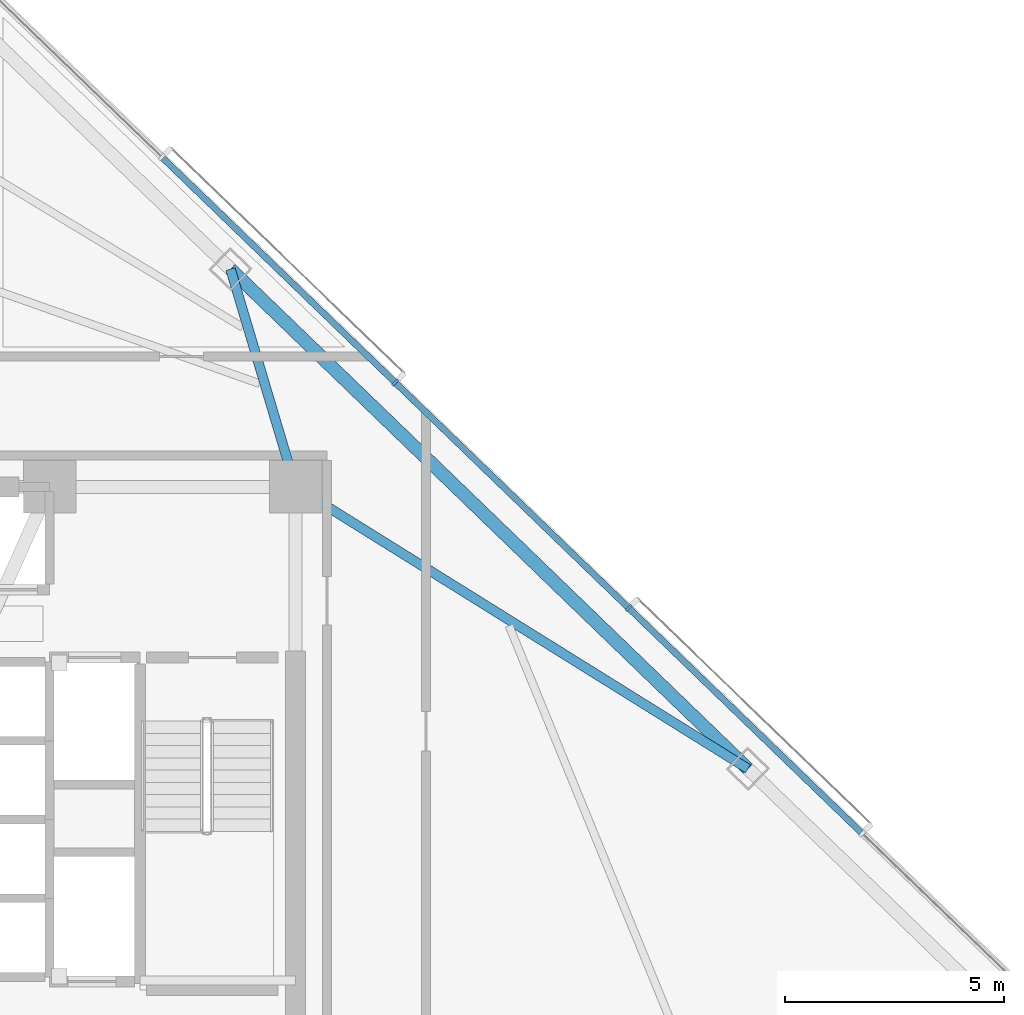
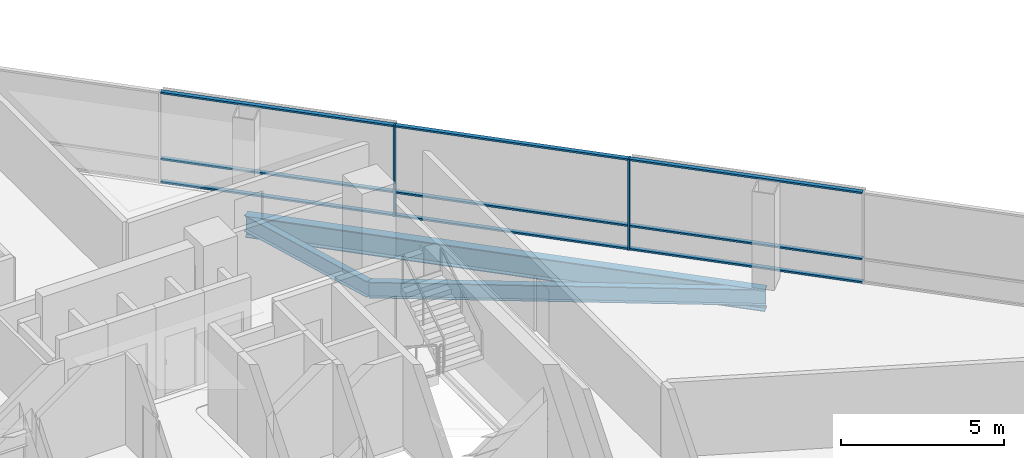
# One storey, part 7 of 17: 11 members, 3 beams, 1 element without a shape of its own.
"""IFC4 building model written with IfcOpenShell, lengths in metres."""

from ifc_helpers import new_model, si_unit, direction, frame, origin, origin_2d, place, context, subcontext, project, spatial, rectangle, i_section, extrude, material, layer, layer_set, material_profile, profile_set, type_object, element, aggregate, save


model = new_model("IFC4")

# Units and contexts
model_context = context("Model", 3, precision=1e-05, world=origin(), true_north=direction((0.0, 1.0)))
body_context = subcontext(model_context, "Body", "Model", "MODEL_VIEW")
ifc_project = project(units=[si_unit("LENGTHUNIT", "METRE"), si_unit("AREAUNIT", "SQUARE_METRE"), si_unit("VOLUMEUNIT", "CUBIC_METRE"), si_unit("PLANEANGLEUNIT", "RADIAN"), si_unit("MASSUNIT", "GRAM", prefix="KILO")], contexts=[model_context])

# Site, building, storey
site_placement = place(None, origin())
site = spatial("IfcSite", under=ifc_project, at=site_placement, CompositionType="ELEMENT")
building_placement = place(site_placement, origin())
building = spatial("IfcBuilding", under=site, at=building_placement, Name="Tharavind Bronze Gate", CompositionType="ELEMENT")
storey_placement = place(building_placement, frame((0.0, 0.0, 96.89990234375)))
storey = spatial("IfcBuildingStorey", under=building, at=storey_placement, Name="L24", CompositionType="ELEMENT", Elevation=96.89990234375)

# Curtain wall, members
ifc_material_1 = material(Name="Anodised Bronze Aluminium", Category="aluminium")
ifc_layer = layer(ifc_material_1, 0.219970703125)
ifc_layer_set = layer_set([ifc_layer], Name="Anodised Bronze Aluminium")
curtain_wall_type = type_object("IfcCurtainWallType", Name="UNITISED CURTAIN WALL LOWER OFFICE", PredefinedType="USERDEFINED", material=ifc_layer_set)
curtain_wall_placement = place(storey_placement, origin())
curtain_wall = element("IfcCurtainWall", 1, at=curtain_wall_placement, inside=storey, type_object=curtain_wall_type, Name="L24 unitised curtain wall lower office CW-L24-S3", ObjectType="UNITISED CURTAIN WALL", PredefinedType="USERDEFINED")
member_type_1 = type_object("IfcMemberType", Name="CURTAIN WALL BRONZE MULLION 65X180", PredefinedType="MULLION", material=ifc_material_1)
member_1_placement = place(storey_placement, frame((16.512939453125, 4.83251953125, 0.0), z_axis=(0.0, 0.0, 1.0), x_axis=(-0.719341012745, 0.694657114973, 0.0)))
member_1 = element("IfcMember", 2, at=member_1_placement, type_object=member_type_1, Name="CW-L24-S3 mullion 4", PredefinedType="MULLION", context=body_context, shape_type="SweptSolid", body=[
    extrude(rectangle(XDim=0.06494140625, YDim=0.179931640625, at=origin_2d()), origin(), (0.0, 0.0, 1.0), 3.409912109375),
])
member_2_placement = place(storey_placement, frame((11.1796875, 9.98291015625, 0.0), z_axis=(0.0, 0.0, 1.0), x_axis=(-0.719341012745, 0.694657114973, 0.0)))
member_2 = element("IfcMember", 3, at=member_2_placement, type_object=member_type_1, Name="CW-L24-S3 mullion 5", PredefinedType="MULLION", context=body_context, shape_type="SweptSolid", body=[
    extrude(rectangle(XDim=0.06494140625, YDim=0.179931640625, at=origin_2d()), origin(), (0.0, 0.0, 1.0), 3.409912109375),
])
member_type_2 = type_object("IfcMemberType", Name="CURTAIN WALL BRONZE TRANSOM 65X140", PredefinedType="USERDEFINED", material=ifc_material_1)
member_3_placement = place(storey_placement, frame((19.1796875, 2.25732421875, 0.000244140625), z_axis=(0.0, 0.0, 1.0), x_axis=(-0.719341012745, 0.694657114973, 0.0)))
member_3 = element("IfcMember", 4, at=member_3_placement, type_object=member_type_2, Name="CW-L24-S3 transom TB3", ObjectType="TRANSOM", PredefinedType="USERDEFINED", context=body_context, shape_type="SweptSolid", body=[
    extrude(rectangle(XDim=7.361083984375, YDim=0.139892578125, at=origin_2d()), origin(), (0.0, 0.0, 1.0), 0.06494140625),
])
member_4_placement = place(storey_placement, frame((19.1796875, 2.25732421875, 0.86767578125), z_axis=(0.0, 0.0, 1.0), x_axis=(-0.719341012745, 0.694657114973, 0.0)))
member_4 = element("IfcMember", 5, at=member_4_placement, type_object=member_type_2, Name="CW-L24-S3 transom TS3", ObjectType="TRANSOM", PredefinedType="USERDEFINED", context=body_context, shape_type="SweptSolid", body=[
    extrude(rectangle(XDim=7.361083984375, YDim=0.139892578125, at=origin_2d()), origin(), (0.0, 0.0, 1.0), 0.06494140625),
])
member_5_placement = place(storey_placement, frame((19.1796875, 2.25732421875, 3.34521484375), z_axis=(0.0, 0.0, 1.0), x_axis=(-0.719341012745, 0.694657114973, 0.0)))
member_5 = element("IfcMember", 6, at=member_5_placement, type_object=member_type_2, Name="CW-L24-S3 transom TT3", ObjectType="TRANSOM", PredefinedType="USERDEFINED", context=body_context, shape_type="SweptSolid", body=[
    extrude(rectangle(XDim=7.361083984375, YDim=0.139892578125, at=origin_2d()), origin(), (0.0, 0.0, 1.0), 0.06494140625),
])
member_6_placement = place(storey_placement, frame((13.84619140625, 7.40771484375, 0.000244140625), z_axis=(0.0, 0.0, 1.0), x_axis=(-0.719341012745, 0.694657114973, 0.0)))
member_6 = element("IfcMember", 7, at=member_6_placement, type_object=member_type_2, Name="CW-L24-S3 transom TB4", ObjectType="TRANSOM", PredefinedType="USERDEFINED", context=body_context, shape_type="SweptSolid", body=[
    extrude(rectangle(XDim=7.361083984375, YDim=0.139892578125, at=origin_2d()), origin(), (0.0, 0.0, 1.0), 0.06494140625),
])
member_7_placement = place(storey_placement, frame((13.84619140625, 7.40771484375, 0.86767578125), z_axis=(0.0, 0.0, 1.0), x_axis=(-0.719341012745, 0.694657114973, 0.0)))
member_7 = element("IfcMember", 8, at=member_7_placement, type_object=member_type_2, Name="CW-L24-S3 transom TS4", ObjectType="TRANSOM", PredefinedType="USERDEFINED", context=body_context, shape_type="SweptSolid", body=[
    extrude(rectangle(XDim=7.361083984375, YDim=0.139892578125, at=origin_2d()), origin(), (0.0, 0.0, 1.0), 0.06494140625),
])
member_8_placement = place(storey_placement, frame((13.84619140625, 7.40771484375, 3.34521484375), z_axis=(0.0, 0.0, 1.0), x_axis=(-0.719341012745, 0.694657114973, 0.0)))
member_8 = element("IfcMember", 9, at=member_8_placement, type_object=member_type_2, Name="CW-L24-S3 transom TT4", ObjectType="TRANSOM", PredefinedType="USERDEFINED", context=body_context, shape_type="SweptSolid", body=[
    extrude(rectangle(XDim=7.361083984375, YDim=0.139892578125, at=origin_2d()), origin(), (0.0, 0.0, 1.0), 0.06494140625),
])
member_9_placement = place(storey_placement, frame((8.512939453125, 12.55810546875, 0.000244140625), z_axis=(0.0, 0.0, 1.0), x_axis=(-0.719341012745, 0.694657114973, 0.0)))
member_9 = element("IfcMember", 10, at=member_9_placement, type_object=member_type_2, Name="CW-L24-S3 transom TB5", ObjectType="TRANSOM", PredefinedType="USERDEFINED", context=body_context, shape_type="SweptSolid", body=[
    extrude(rectangle(XDim=7.361083984375, YDim=0.139892578125, at=origin_2d()), origin(), (0.0, 0.0, 1.0), 0.06494140625),
])
member_10_placement = place(storey_placement, frame((8.512939453125, 12.55810546875, 0.86767578125), z_axis=(0.0, 0.0, 1.0), x_axis=(-0.719341012745, 0.694657114973, 0.0)))
member_10 = element("IfcMember", 11, at=member_10_placement, type_object=member_type_2, Name="CW-L24-S3 transom TS5", ObjectType="TRANSOM", PredefinedType="USERDEFINED", context=body_context, shape_type="SweptSolid", body=[
    extrude(rectangle(XDim=7.361083984375, YDim=0.139892578125, at=origin_2d()), origin(), (0.0, 0.0, 1.0), 0.06494140625),
])
member_11_placement = place(storey_placement, frame((8.512939453125, 12.55810546875, 3.34521484375), z_axis=(0.0, 0.0, 1.0), x_axis=(-0.719341012745, 0.694657114973, 0.0)))
member_11 = element("IfcMember", 12, at=member_11_placement, type_object=member_type_2, Name="CW-L24-S3 transom TT5", ObjectType="TRANSOM", PredefinedType="USERDEFINED", context=body_context, shape_type="SweptSolid", body=[
    extrude(rectangle(XDim=7.361083984375, YDim=0.139892578125, at=origin_2d()), origin(), (0.0, 0.0, 1.0), 0.06494140625),
])
aggregate(curtain_wall, [member_1, member_2, member_3, member_4, member_5, member_6, member_7, member_8, member_9, member_10, member_11])

# Beams
ifc_material_2 = material(Name="Steel S355", Category="steel")
ifc_material_profile_1 = material_profile(ifc_material_2, i_section(OverallWidth=0.219970703125, OverallDepth=0.60009765625, WebThickness=0.011962890625, FlangeThickness=0.01904296875, at=origin_2d()), Name="IPE600")
ifc_profile_set_1 = profile_set([ifc_material_profile_1], Name="Steel S355")
beam_type_1 = type_object("IfcBeamType", Name="PRIMARY GIRDER IPE600", PredefinedType="USERDEFINED", material=ifc_profile_set_1)
beam_1_placement = place(storey_placement, frame((19.236083984375, 1.160400390625, -0.489990234375), z_axis=(-0.848750917637, 0.528792851513, 0.0), x_axis=(-0.528792851513, -0.848750917637, 0.0)))
element("IfcBeam", 13, at=beam_1_placement, inside=storey, type_object=beam_type_1, Name="L24 primary girder ipe600 BM-L24-RAD10", ObjectType="GIRDER", PredefinedType="USERDEFINED", context=body_context, shape_type="SweptSolid", body=[
    extrude(i_section(OverallWidth=0.219970703125, OverallDepth=0.60009765625, WebThickness=0.011962890625, FlangeThickness=0.01904296875, at=origin_2d()), origin(), (0.0, 0.0, 1.0), 12.17822265625),
])
beam_2_placement = place(storey_placement, frame((7.41455078125, 12.576171875, -0.489990234375), z_axis=(0.286027795034, -0.958221321234, 0.0), x_axis=(0.958221321234, 0.286027795034, 0.0)))
element("IfcBeam", 14, at=beam_2_placement, inside=storey, type_object=beam_type_1, Name="L24 primary girder ipe600 BM-L24-RAD11", ObjectType="GIRDER", PredefinedType="USERDEFINED", context=body_context, shape_type="SweptSolid", body=[
    extrude(i_section(OverallWidth=0.219970703125, OverallDepth=0.60009765625, WebThickness=0.011962890625, FlangeThickness=0.01904296875, at=origin_2d()), origin(), (0.0, 0.0, 1.0), 5.193115234375),
])
ifc_material_profile_2 = material_profile(ifc_material_2, i_section(OverallWidth=0.300048828125, OverallDepth=0.800048828125, WebThickness=0.017578125, FlangeThickness=0.032958984375, at=origin_2d()), Name="HE800B")
ifc_profile_set_2 = profile_set([ifc_material_profile_2], Name="Steel S355")
beam_type_2 = type_object("IfcBeamType", Name="RING GIRDER HE800B", PredefinedType="USERDEFINED", material=ifc_profile_set_2)
beam_3_placement = place(storey_placement, frame((19.236083984375, 1.160400390625, -0.58984375), z_axis=(-0.719344374421, 0.694653633827, 0.0), x_axis=(-0.694653633827, -0.719344374421, 0.0)))
element("IfcBeam", 15, at=beam_3_placement, inside=storey, type_object=beam_type_2, Name="L24 ring girder he800b BM-L24-PRG10", ObjectType="GIRDER", PredefinedType="USERDEFINED", context=body_context, shape_type="SweptSolid", body=[
    extrude(i_section(OverallWidth=0.300048828125, OverallDepth=0.800048828125, WebThickness=0.017578125, FlangeThickness=0.032958984375, at=origin_2d()), origin(), (0.0, 0.0, 1.0), 16.433837890625),
])

save(model, "model.ifc")
